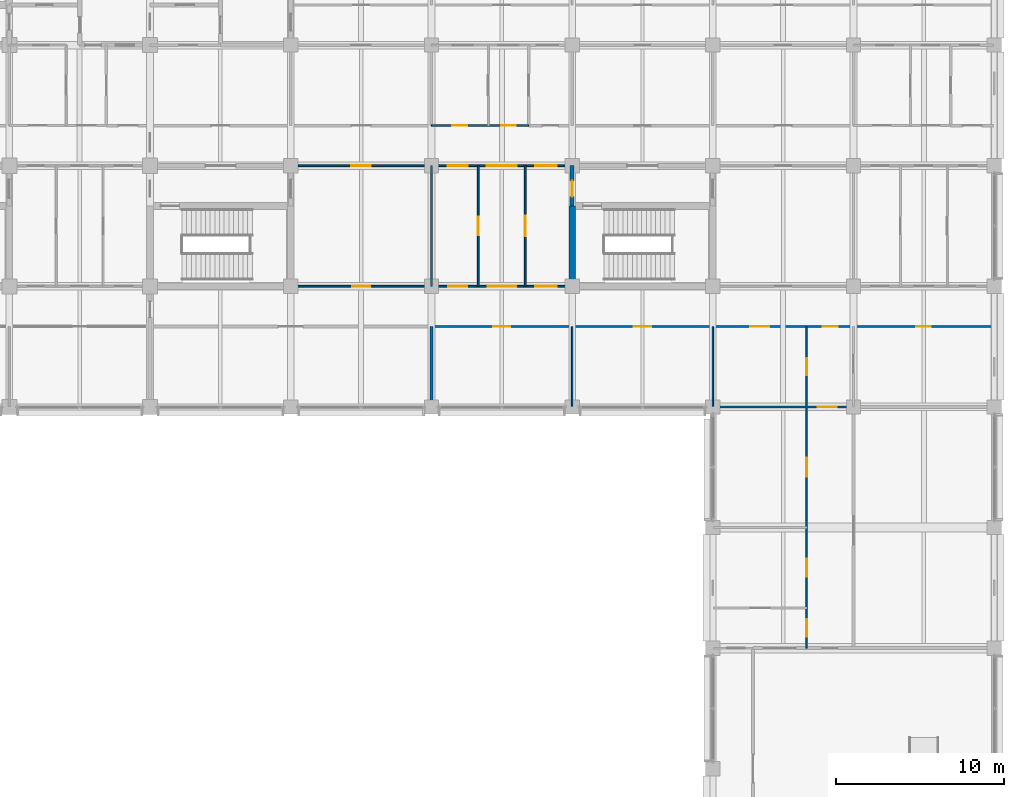
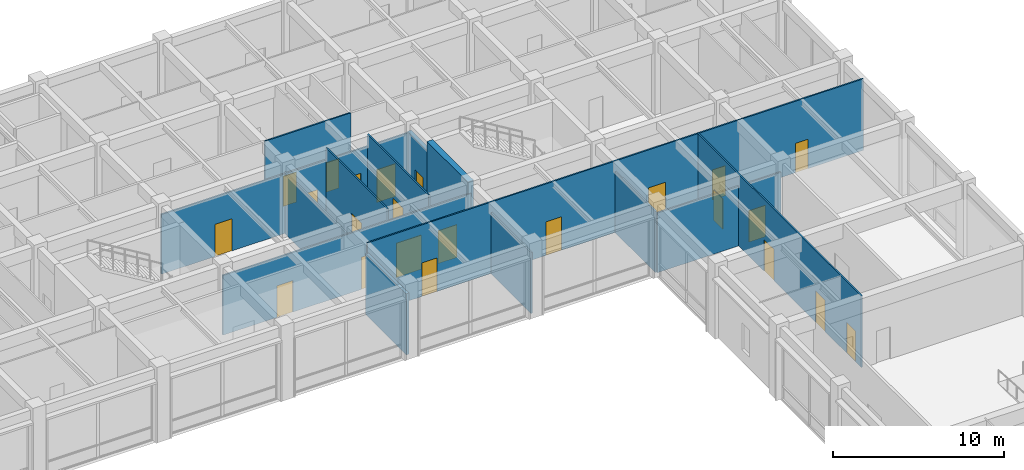
# One storey, part 39 of 51: 23 doors, 14 walls, 23 openings.
"""IFC4 building model written with IfcOpenShell, lengths in metres."""

from ifc_helpers import new_model, si_unit, direction, frame, frame_2d, origin, place, context, subcontext, project, spatial, rectangle, extrude, material, layer, layer_set, type_object, element, fill, save


model = new_model("IFC4")

# Units and contexts
model_context = context("Model", 3, precision=1e-05, world=origin(), true_north=direction((0.0, 1.0)))
body_context = subcontext(model_context, "Body", "Model", "MODEL_VIEW")
ifc_project = project(units=[si_unit("LENGTHUNIT", "METRE"), si_unit("AREAUNIT", "SQUARE_METRE"), si_unit("VOLUMEUNIT", "CUBIC_METRE"), si_unit("PLANEANGLEUNIT", "RADIAN"), si_unit("MASSUNIT", "GRAM", prefix="KILO")], contexts=[model_context])

# Site, building, storey
site_placement = place(None, origin())
site = spatial("IfcSite", under=ifc_project, at=site_placement, CompositionType="ELEMENT")
building_placement = place(site_placement, origin())
building = spatial("IfcBuilding", under=site, at=building_placement, Name="Chengyuan Square Courthouse", CompositionType="ELEMENT")
storey_placement = place(building_placement, frame((0.0, 0.0, 10.800048828125)))
storey = spatial("IfcBuildingStorey", under=building, at=storey_placement, Name="L03", CompositionType="ELEMENT", Elevation=10.800048828125)

# Wall, opening, door
ifc_material_1 = material(Name="Concrete C40", Category="concrete")
ifc_layer_1 = layer(ifc_material_1, 0.25)
ifc_layer_set_1 = layer_set([ifc_layer_1], Name="Concrete C40")
wall_type_1 = type_object("IfcWallType", Name="WL-FW1", PredefinedType="STANDARD", material=ifc_layer_set_1)
wall_1_placement = place(storey_placement, frame((142.800048828125, 91.199951171875, 0.0), z_axis=(0.0, 0.0, 1.0), x_axis=(0.0, 1.0, 0.0)))
wall_1 = element("IfcWall", 1, at=wall_1_placement, inside=storey, type_object=wall_type_1, Name="Interior Wall WL-L03-I1714", PredefinedType="STANDARD", context=body_context, shape_type="SweptSolid", body=[
    extrude(rectangle(XDim=2.400146484375, YDim=0.25, at=frame_2d((1.2001953125, 0.0))), origin(), (0.0, 0.0, 1.0), 4.369873046875),
])
opening_1_placement = place(wall_1_placement, frame((0.552490234375, 0.0, 0.0)))
opening_1 = element("IfcOpeningElement", 2, at=opening_1_placement, cuts=wall_1, Name="Opening DR-1355", PredefinedType="OPENING", context=body_context, shape_type="SweptSolid", body=[
    extrude(rectangle(XDim=0.949951171875, YDim=2.14990234375, at=frame_2d((0.47509765625, 1.074951171875))), frame((0.0, 0.136962890625, 0.0), z_axis=(0.0, -1.0, 0.0), x_axis=(1.0, 0.0, 0.0)), (0.0, 0.0, 1.0), 0.27392578125),
])
ifc_material_2 = material(Name="Steel Q235B Fire Door", Category="steel")
door_type_1 = type_object("IfcDoorType", Name="DT-12", OperationType="NOTDEFINED", PredefinedType="DOOR", material=ifc_material_2)
door_1_placement = place(opening_1_placement, origin())
door_1 = element("IfcDoor", 3, at=door_1_placement, inside=storey, type_object=door_type_1, Name="Interior Door DR-1355", OperationType="SINGLE_SWING_RIGHT", OverallHeight=2.14990234375, OverallWidth=0.949951171875, PredefinedType="DOOR", context=body_context, shape_type="SweptSolid", body=[
    extrude(rectangle(XDim=0.949951171875, YDim=2.14990234375, at=frame_2d((0.47509765625, 1.074951171875))), frame((0.0, 0.02490234375, 0.0), z_axis=(0.0, -1.0, 0.0), x_axis=(1.0, 0.0, 0.0)), (0.0, 0.0, 1.0), 0.050048828125),
])
fill(opening_1, door_1)

# Wall
ifc_material_3 = material(Name="Double-Stud Acoustic Gypsum Courtroom Partition")
ifc_layer_2 = layer(ifc_material_3, 0.179931640625)
ifc_layer_set_2 = layer_set([ifc_layer_2], Name="Double-Stud Acoustic Gypsum Courtroom Partition")
wall_type_2 = type_object("IfcWallType", Name="WL-PT1", PredefinedType="STANDARD", material=ifc_layer_set_2)
wall_2_placement = place(storey_placement, frame((134.39990234375, 79.239990234375, 0.0), z_axis=(0.0, 0.0, 1.0), x_axis=(0.0, 1.0, 0.0)))
element("IfcWall", 4, at=wall_2_placement, inside=storey, type_object=wall_type_2, Name="Interior Wall WL-L03-I1704", PredefinedType="STANDARD", context=body_context, shape_type="SweptSolid", body=[
    extrude(rectangle(XDim=4.760009765625, YDim=0.179931640625, at=frame_2d((2.3798828125, 0.0))), origin(), (0.0, 0.0, 1.0), 4.369873046875),
])

# Wall, opening, door
ifc_material_4 = material(Name="Gypsum Plasterboard Acoustic Stud Partition")
ifc_layer_3 = layer(ifc_material_4, 0.10009765625)
ifc_layer_set_3 = layer_set([ifc_layer_3], Name="Gypsum Plasterboard Acoustic Stud Partition")
wall_type_3 = type_object("IfcWallType", Name="WL-PT6", PredefinedType="STANDARD", material=ifc_layer_set_3)
wall_3_placement = place(storey_placement, frame((151.239990234375, 79.199951171875, 0.0), z_axis=(0.0, 0.0, 1.0), x_axis=(1.0, 0.0, 0.0)))
wall_3 = element("IfcWall", 5, at=wall_3_placement, inside=storey, type_object=wall_type_3, Name="Interior Wall WL-L03-I1410", PredefinedType="STANDARD", context=body_context, shape_type="SweptSolid", body=[
    extrude(rectangle(XDim=8.360107421875, YDim=0.10009765625, at=frame_2d((4.18017578125, 0.0))), origin(), (0.0, 0.0, 1.0), 4.27001953125),
])
opening_2_placement = place(wall_3_placement, frame((6.2275390625, 0.0, 0.0)))
opening_2 = element("IfcOpeningElement", 6, at=opening_2_placement, cuts=wall_3, Name="Opening DR-1602", PredefinedType="OPENING", context=body_context, shape_type="SweptSolid", body=[
    extrude(rectangle(XDim=1.1201171875, YDim=2.25, at=frame_2d((0.56005859375, 1.125))), frame((0.0, 0.06201171875, 0.0), z_axis=(0.0, -1.0, 0.0), x_axis=(1.0, 0.0, 0.0)), (0.0, 0.0, 1.0), 0.1240234375),
])
ifc_material_5 = material(Name="Acoustic Solid-Core Timber Door", Category="wood")
door_type_2 = type_object("IfcDoorType", Name="DT-34", OperationType="NOTDEFINED", PredefinedType="DOOR", material=ifc_material_5)
door_2_placement = place(opening_2_placement, origin())
door_2 = element("IfcDoor", 7, at=door_2_placement, inside=storey, type_object=door_type_2, Name="Interior Door DR-1602", OperationType="SINGLE_SWING_RIGHT", OverallHeight=2.25, OverallWidth=1.1201171875, PredefinedType="DOOR", context=body_context, shape_type="SweptSolid", body=[
    extrude(rectangle(XDim=1.1201171875, YDim=2.25, at=frame_2d((0.56005859375, 1.125))), frame((0.0, 0.02490234375, 0.0), z_axis=(0.0, -1.0, 0.0), x_axis=(1.0, 0.0, 0.0)), (0.0, 0.0, 1.0), 0.050048828125),
])
fill(opening_2, door_2)

# Wall, openings, doors
wall_4_placement = place(storey_placement, frame((134.39990234375, 84.0, 0.0), z_axis=(0.0, 0.0, 1.0), x_axis=(1.0, 0.0, 0.0)))
wall_4 = element("IfcWall", 8, at=wall_4_placement, inside=storey, type_object=wall_type_3, Name="Interior Wall WL-L03-I1416", PredefinedType="STANDARD", context=body_context, shape_type="SweptSolid", body=[
    extrude(rectangle(XDim=33.56005859375, YDim=0.10009765625, at=frame_2d((16.780029296875, 0.0))), origin(), (0.0, 0.0, 1.0), 5.119873046875),
])
opening_3_placement = place(wall_4_placement, frame((3.68994140625, 0.0, 0.0)))
opening_3 = element("IfcOpeningElement", 9, at=opening_3_placement, cuts=wall_4, Name="Opening DR-1592", PredefinedType="OPENING", context=body_context, shape_type="SweptSolid", body=[
    extrude(rectangle(XDim=1.02001953125, YDim=2.39990234375, at=frame_2d((0.510009765625, 1.199951171875))), frame((0.0, 0.06201171875, 0.0), z_axis=(0.0, -1.0, 0.0), x_axis=(1.0, 0.0, 0.0)), (0.0, 0.0, 1.0), 0.1240234375),
])
opening_4_placement = place(wall_4_placement, frame((12.070068359375, 0.0, 0.0)))
opening_4 = element("IfcOpeningElement", 10, at=opening_4_placement, cuts=wall_4, Name="Opening DR-1593", PredefinedType="OPENING", context=body_context, shape_type="SweptSolid", body=[
    extrude(rectangle(XDim=1.06005859375, YDim=2.39990234375, at=frame_2d((0.530029296875, 1.199951171875))), frame((0.0, 0.06201171875, 0.0), z_axis=(0.0, -1.0, 0.0), x_axis=(1.0, 0.0, 0.0)), (0.0, 0.0, 1.0), 0.1240234375),
])
opening_5_placement = place(wall_4_placement, frame((19.030029296875, 0.0, 0.0)))
opening_5 = element("IfcOpeningElement", 11, at=opening_5_placement, cuts=wall_4, Name="Opening DR-1594", PredefinedType="OPENING", context=body_context, shape_type="SweptSolid", body=[
    extrude(rectangle(XDim=1.139892578125, YDim=2.39990234375, at=frame_2d((0.56982421875, 1.199951171875))), frame((0.0, 0.06201171875, 0.0), z_axis=(0.0, -1.0, 0.0), x_axis=(1.0, 0.0, 0.0)), (0.0, 0.0, 1.0), 0.1240234375),
])
opening_6_placement = place(wall_4_placement, frame((23.35009765625, 0.0, 0.0)))
opening_6 = element("IfcOpeningElement", 12, at=opening_6_placement, cuts=wall_4, Name="Opening DR-1595", PredefinedType="OPENING", context=body_context, shape_type="SweptSolid", body=[
    extrude(rectangle(XDim=0.89990234375, YDim=2.14990234375, at=frame_2d((0.449951171875, 1.074951171875))), frame((0.0, 0.06201171875, 0.0), z_axis=(0.0, -1.0, 0.0), x_axis=(1.0, 0.0, 0.0)), (0.0, 0.0, 1.0), 0.1240234375),
])
opening_7_placement = place(wall_4_placement, frame((28.949951171875, 0.0, 0.0)))
opening_7 = element("IfcOpeningElement", 13, at=opening_7_placement, cuts=wall_4, Name="Opening DR-1596", PredefinedType="OPENING", context=body_context, shape_type="SweptSolid", body=[
    extrude(rectangle(XDim=0.860107421875, YDim=2.10009765625, at=frame_2d((0.43017578125, 1.050048828125))), frame((0.0, 0.06201171875, 0.0), z_axis=(0.0, -1.0, 0.0), x_axis=(1.0, 0.0, 0.0)), (0.0, 0.0, 1.0), 0.1240234375),
])
door_type_3 = type_object("IfcDoorType", Name="DT-27", OperationType="NOTDEFINED", PredefinedType="DOOR", material=ifc_material_5)
door_3_placement = place(opening_6_placement, origin())
door_3 = element("IfcDoor", 14, at=door_3_placement, inside=storey, type_object=door_type_3, Name="Interior Door DR-1595", OperationType="SINGLE_SWING_LEFT", OverallHeight=2.14990234375, OverallWidth=0.89990234375, PredefinedType="DOOR", context=body_context, shape_type="SweptSolid", body=[
    extrude(rectangle(XDim=0.89990234375, YDim=2.14990234375, at=frame_2d((0.449951171875, 1.074951171875))), frame((0.0, 0.02490234375, 0.0), z_axis=(0.0, -1.0, 0.0), x_axis=(1.0, 0.0, 0.0)), (0.0, 0.0, 1.0), 0.050048828125),
])
fill(opening_6, door_3)
door_type_4 = type_object("IfcDoorType", Name="DT-28", OperationType="NOTDEFINED", PredefinedType="DOOR", material=ifc_material_5)
door_4_placement = place(opening_7_placement, origin())
door_4 = element("IfcDoor", 15, at=door_4_placement, inside=storey, type_object=door_type_4, Name="Interior Door DR-1596", OperationType="SINGLE_SWING_RIGHT", OverallHeight=2.10009765625, OverallWidth=0.860107421875, PredefinedType="DOOR", context=body_context, shape_type="SweptSolid", body=[
    extrude(rectangle(XDim=0.860107421875, YDim=2.10009765625, at=frame_2d((0.43017578125, 1.050048828125))), frame((0.0, 0.02490234375, 0.0), z_axis=(0.0, -1.0, 0.0), x_axis=(1.0, 0.0, 0.0)), (0.0, 0.0, 1.0), 0.050048828125),
])
fill(opening_7, door_4)
door_type_5 = type_object("IfcDoorType", Name="DT-41", OperationType="NOTDEFINED", PredefinedType="DOOR", material=ifc_material_5)
door_5_placement = place(opening_3_placement, origin())
door_5 = element("IfcDoor", 16, at=door_5_placement, inside=storey, type_object=door_type_5, Name="Interior Door DR-1592", OperationType="SINGLE_SWING_RIGHT", OverallHeight=2.39990234375, OverallWidth=1.02001953125, PredefinedType="DOOR", context=body_context, shape_type="SweptSolid", body=[
    extrude(rectangle(XDim=1.02001953125, YDim=2.39990234375, at=frame_2d((0.510009765625, 1.199951171875))), frame((0.0, 0.02490234375, 0.0), z_axis=(0.0, -1.0, 0.0), x_axis=(1.0, 0.0, 0.0)), (0.0, 0.0, 1.0), 0.050048828125),
])
fill(opening_3, door_5)
door_type_6 = type_object("IfcDoorType", Name="DT-42", OperationType="NOTDEFINED", PredefinedType="DOOR", material=ifc_material_5)
door_6_placement = place(opening_4_placement, origin())
door_6 = element("IfcDoor", 17, at=door_6_placement, inside=storey, type_object=door_type_6, Name="Interior Door DR-1593", OperationType="SINGLE_SWING_LEFT", OverallHeight=2.39990234375, OverallWidth=1.06005859375, PredefinedType="DOOR", context=body_context, shape_type="SweptSolid", body=[
    extrude(rectangle(XDim=1.06005859375, YDim=2.39990234375, at=frame_2d((0.530029296875, 1.199951171875))), frame((0.0, 0.02490234375, 0.0), z_axis=(0.0, -1.0, 0.0), x_axis=(1.0, 0.0, 0.0)), (0.0, 0.0, 1.0), 0.050048828125),
])
fill(opening_4, door_6)
door_type_7 = type_object("IfcDoorType", Name="DT-43", OperationType="NOTDEFINED", PredefinedType="DOOR", material=ifc_material_5)
door_7_placement = place(opening_5_placement, origin())
door_7 = element("IfcDoor", 18, at=door_7_placement, inside=storey, type_object=door_type_7, Name="Interior Door DR-1594", OperationType="SINGLE_SWING_RIGHT", OverallHeight=2.39990234375, OverallWidth=1.139892578125, PredefinedType="DOOR", context=body_context, shape_type="SweptSolid", body=[
    extrude(rectangle(XDim=1.139892578125, YDim=2.39990234375, at=frame_2d((0.56982421875, 1.199951171875))), frame((0.0, 0.02490234375, 0.0), z_axis=(0.0, -1.0, 0.0), x_axis=(1.0, 0.0, 0.0)), (0.0, 0.0, 1.0), 0.050048828125),
])
fill(opening_5, door_7)

wall_5_placement = place(storey_placement, frame((126.0, 86.39990234375, 0.0), z_axis=(0.0, 0.0, 1.0), x_axis=(1.0, 0.0, 0.0)))
wall_5 = element("IfcWall", 19, at=wall_5_placement, inside=storey, type_object=wall_type_3, Name="Interior Wall WL-L03-I1430", PredefinedType="STANDARD", context=body_context, shape_type="SweptSolid", body=[
    extrude(rectangle(XDim=16.800048828125, YDim=0.10009765625, at=frame_2d((8.39990234375, 0.0))), origin(), (0.0, 0.0, 1.0), 4.27001953125),
])
opening_8_placement = place(wall_5_placement, frame((3.659912109375, 0.0, 0.0)))
opening_8 = element("IfcOpeningElement", 20, at=opening_8_placement, cuts=wall_5, Name="Opening DR-1550", PredefinedType="OPENING", context=body_context, shape_type="SweptSolid", body=[
    extrude(rectangle(XDim=1.080078125, YDim=2.25, at=frame_2d((0.5400390625, 1.125))), frame((0.0, 0.06201171875, 0.0), z_axis=(0.0, -1.0, 0.0), x_axis=(1.0, 0.0, 0.0)), (0.0, 0.0, 1.0), 0.1240234375),
])
opening_9_placement = place(wall_5_placement, frame((9.392578125, 0.0, 0.0)))
opening_9 = element("IfcOpeningElement", 21, at=opening_9_placement, cuts=wall_5, Name="Opening DR-1552", PredefinedType="OPENING", context=body_context, shape_type="SweptSolid", body=[
    extrude(rectangle(XDim=1.159912109375, YDim=2.300048828125, at=frame_2d((0.580078125, 1.14990234375))), frame((0.0, 0.06201171875, 0.0), z_axis=(0.0, -1.0, 0.0), x_axis=(1.0, 0.0, 0.0)), (0.0, 0.0, 1.0), 0.1240234375),
])
opening_10_placement = place(wall_5_placement, frame((11.75, 0.0, 0.0)))
opening_10 = element("IfcOpeningElement", 22, at=opening_10_placement, cuts=wall_5, Name="Opening DR-1554", PredefinedType="OPENING", context=body_context, shape_type="SweptSolid", body=[
    extrude(rectangle(XDim=1.699951171875, YDim=2.449951171875, at=frame_2d((0.85009765625, 1.22509765625))), frame((0.0, 0.06201171875, 0.0), z_axis=(0.0, -1.0, 0.0), x_axis=(1.0, 0.0, 0.0)), (0.0, 0.0, 1.0), 0.1240234375),
])
opening_11_placement = place(wall_5_placement, frame((14.58740234375, 0.0, 0.0)))
opening_11 = element("IfcOpeningElement", 23, at=opening_11_placement, cuts=wall_5, Name="Opening DR-1555", PredefinedType="OPENING", context=body_context, shape_type="SweptSolid", body=[
    extrude(rectangle(XDim=1.280029296875, YDim=2.35009765625, at=frame_2d((0.64013671875, 1.175048828125))), frame((0.0, 0.06201171875, 0.0), z_axis=(0.0, -1.0, 0.0), x_axis=(1.0, 0.0, 0.0)), (0.0, 0.0, 1.0), 0.1240234375),
])
ifc_material_6 = material(Name="Acoustic Larch Veneer Double Door")
door_type_8 = type_object("IfcDoorType", Name="DT-24", OperationType="DOUBLE_DOOR_SINGLE_SWING", PredefinedType="DOOR", material=ifc_material_6)
door_8_placement = place(opening_10_placement, frame((1.699951171875, 0.0, 0.0), z_axis=(0.0, 0.0, 1.0), x_axis=(-1.0, 0.0, 0.0)))
door_8 = element("IfcDoor", 24, at=door_8_placement, inside=storey, type_object=door_type_8, Name="Interior Door DR-1554", OperationType="DOUBLE_DOOR_SINGLE_SWING", OverallHeight=2.449951171875, OverallWidth=1.699951171875, PredefinedType="DOOR", context=body_context, shape_type="SweptSolid", body=[
    extrude(rectangle(XDim=1.699951171875, YDim=2.449951171875, at=frame_2d((0.85009765625, 1.22509765625))), frame((0.0, 0.02490234375, 0.0), z_axis=(0.0, -1.0, 0.0), x_axis=(1.0, 0.0, 0.0)), (0.0, 0.0, 1.0), 0.050048828125),
])
fill(opening_10, door_8)
door_type_9 = type_object("IfcDoorType", Name="DT-33", OperationType="NOTDEFINED", PredefinedType="DOOR", material=ifc_material_5)
door_9_placement = place(opening_8_placement, origin())
door_9 = element("IfcDoor", 25, at=door_9_placement, inside=storey, type_object=door_type_9, Name="Interior Door DR-1550", OperationType="SINGLE_SWING_RIGHT", OverallHeight=2.25, OverallWidth=1.080078125, PredefinedType="DOOR", context=body_context, shape_type="SweptSolid", body=[
    extrude(rectangle(XDim=1.080078125, YDim=2.25, at=frame_2d((0.5400390625, 1.125))), frame((0.0, 0.02490234375, 0.0), z_axis=(0.0, -1.0, 0.0), x_axis=(1.0, 0.0, 0.0)), (0.0, 0.0, 1.0), 0.050048828125),
])
fill(opening_8, door_9)
door_type_10 = type_object("IfcDoorType", Name="DT-35", OperationType="NOTDEFINED", PredefinedType="DOOR", material=ifc_material_5)
door_10_placement = place(opening_9_placement, origin())
door_10 = element("IfcDoor", 26, at=door_10_placement, inside=storey, type_object=door_type_10, Name="Interior Door DR-1552", OperationType="SINGLE_SWING_RIGHT", OverallHeight=2.300048828125, OverallWidth=1.159912109375, PredefinedType="DOOR", context=body_context, shape_type="SweptSolid", body=[
    extrude(rectangle(XDim=1.159912109375, YDim=2.300048828125, at=frame_2d((0.580078125, 1.14990234375))), frame((0.0, 0.02490234375, 0.0), z_axis=(0.0, -1.0, 0.0), x_axis=(1.0, 0.0, 0.0)), (0.0, 0.0, 1.0), 0.050048828125),
])
fill(opening_9, door_10)
door_type_11 = type_object("IfcDoorType", Name="DT-38", OperationType="NOTDEFINED", PredefinedType="DOOR", material=ifc_material_5)
door_11_placement = place(opening_11_placement, origin())
door_11 = element("IfcDoor", 27, at=door_11_placement, inside=storey, type_object=door_type_11, Name="Interior Door DR-1555", OperationType="SINGLE_SWING_RIGHT", OverallHeight=2.35009765625, OverallWidth=1.280029296875, PredefinedType="DOOR", context=body_context, shape_type="SweptSolid", body=[
    extrude(rectangle(XDim=1.280029296875, YDim=2.35009765625, at=frame_2d((0.64013671875, 1.175048828125))), frame((0.0, 0.02490234375, 0.0), z_axis=(0.0, -1.0, 0.0), x_axis=(1.0, 0.0, 0.0)), (0.0, 0.0, 1.0), 0.050048828125),
])
fill(opening_11, door_11)

wall_6_placement = place(storey_placement, frame((126.0, 93.60009765625, 0.0), z_axis=(0.0, 0.0, 1.0), x_axis=(1.0, 0.0, 0.0)))
wall_6 = element("IfcWall", 28, at=wall_6_placement, inside=storey, type_object=wall_type_3, Name="Interior Wall WL-L03-I1458", PredefinedType="STANDARD", context=body_context, shape_type="SweptSolid", body=[
    extrude(rectangle(XDim=16.800048828125, YDim=0.10009765625, at=frame_2d((8.39990234375, 0.0))), origin(), (0.0, 0.0, 1.0), 4.27001953125),
])
opening_12_placement = place(wall_6_placement, frame((3.6201171875, 0.0, 0.0)))
opening_12 = element("IfcOpeningElement", 29, at=opening_12_placement, cuts=wall_6, Name="Opening DR-1501", PredefinedType="OPENING", context=body_context, shape_type="SweptSolid", body=[
    extrude(rectangle(XDim=1.159912109375, YDim=2.300048828125, at=frame_2d((0.580078125, 1.14990234375))), frame((0.0, 0.06201171875, 0.0), z_axis=(0.0, -1.0, 0.0), x_axis=(1.0, 0.0, 0.0)), (0.0, 0.0, 1.0), 0.1240234375),
])
opening_13_placement = place(wall_6_placement, frame((9.37255859375, 0.0, 0.0)))
opening_13 = element("IfcOpeningElement", 30, at=opening_13_placement, cuts=wall_6, Name="Opening DR-1502", PredefinedType="OPENING", context=body_context, shape_type="SweptSolid", body=[
    extrude(rectangle(XDim=1.199951171875, YDim=2.35009765625, at=frame_2d((0.60009765625, 1.175048828125))), frame((0.0, 0.06201171875, 0.0), z_axis=(0.0, -1.0, 0.0), x_axis=(1.0, 0.0, 0.0)), (0.0, 0.0, 1.0), 0.1240234375),
])
opening_14_placement = place(wall_6_placement, frame((11.699951171875, 0.0, 0.0)))
opening_14 = element("IfcOpeningElement", 31, at=opening_14_placement, cuts=wall_6, Name="Opening DR-1503", PredefinedType="OPENING", context=body_context, shape_type="SweptSolid", body=[
    extrude(rectangle(XDim=1.800048828125, YDim=2.5, at=frame_2d((0.89990234375, 1.25))), frame((0.0, 0.06201171875, 0.0), z_axis=(0.0, -1.0, 0.0), x_axis=(1.0, 0.0, 0.0)), (0.0, 0.0, 1.0), 0.1240234375),
])
opening_15_placement = place(wall_6_placement, frame((14.58740234375, 0.0, 0.0)))
opening_15 = element("IfcOpeningElement", 32, at=opening_15_placement, cuts=wall_6, Name="Opening DR-1504", PredefinedType="OPENING", context=body_context, shape_type="SweptSolid", body=[
    extrude(rectangle(XDim=1.280029296875, YDim=2.35009765625, at=frame_2d((0.64013671875, 1.175048828125))), frame((0.0, 0.06201171875, 0.0), z_axis=(0.0, -1.0, 0.0), x_axis=(1.0, 0.0, 0.0)), (0.0, 0.0, 1.0), 0.1240234375),
])
door_type_12 = type_object("IfcDoorType", Name="DT-21", OperationType="DOUBLE_DOOR_SINGLE_SWING", PredefinedType="DOOR", material=ifc_material_6)
door_12_placement = place(opening_14_placement, frame((1.800048828125, 0.0, 0.0), z_axis=(0.0, 0.0, 1.0), x_axis=(-1.0, 0.0, 0.0)))
door_12 = element("IfcDoor", 33, at=door_12_placement, inside=storey, type_object=door_type_12, Name="Interior Door DR-1503", OperationType="DOUBLE_DOOR_SINGLE_SWING", OverallHeight=2.5, OverallWidth=1.800048828125, PredefinedType="DOOR", context=body_context, shape_type="SweptSolid", body=[
    extrude(rectangle(XDim=1.800048828125, YDim=2.5, at=frame_2d((0.89990234375, 1.25))), frame((0.0, 0.02490234375, 0.0), z_axis=(0.0, -1.0, 0.0), x_axis=(1.0, 0.0, 0.0)), (0.0, 0.0, 1.0), 0.050048828125),
])
fill(opening_14, door_12)
door_13_placement = place(opening_12_placement, origin())
door_13 = element("IfcDoor", 34, at=door_13_placement, inside=storey, type_object=door_type_10, Name="Interior Door DR-1501", OperationType="SINGLE_SWING_RIGHT", OverallHeight=2.300048828125, OverallWidth=1.159912109375, PredefinedType="DOOR", context=body_context, shape_type="SweptSolid", body=[
    extrude(rectangle(XDim=1.159912109375, YDim=2.300048828125, at=frame_2d((0.580078125, 1.14990234375))), frame((0.0, 0.02490234375, 0.0), z_axis=(0.0, -1.0, 0.0), x_axis=(1.0, 0.0, 0.0)), (0.0, 0.0, 1.0), 0.050048828125),
])
fill(opening_12, door_13)
door_type_13 = type_object("IfcDoorType", Name="DT-36", OperationType="NOTDEFINED", PredefinedType="DOOR", material=ifc_material_5)
door_14_placement = place(opening_13_placement, origin())
door_14 = element("IfcDoor", 35, at=door_14_placement, inside=storey, type_object=door_type_13, Name="Interior Door DR-1502", OperationType="SINGLE_SWING_LEFT", OverallHeight=2.35009765625, OverallWidth=1.199951171875, PredefinedType="DOOR", context=body_context, shape_type="SweptSolid", body=[
    extrude(rectangle(XDim=1.199951171875, YDim=2.35009765625, at=frame_2d((0.60009765625, 1.175048828125))), frame((0.0, 0.02490234375, 0.0), z_axis=(0.0, -1.0, 0.0), x_axis=(1.0, 0.0, 0.0)), (0.0, 0.0, 1.0), 0.050048828125),
])
fill(opening_13, door_14)
door_15_placement = place(opening_15_placement, origin())
door_15 = element("IfcDoor", 36, at=door_15_placement, inside=storey, type_object=door_type_11, Name="Interior Door DR-1504", OperationType="SINGLE_SWING_RIGHT", OverallHeight=2.35009765625, OverallWidth=1.280029296875, PredefinedType="DOOR", context=body_context, shape_type="SweptSolid", body=[
    extrude(rectangle(XDim=1.280029296875, YDim=2.35009765625, at=frame_2d((0.64013671875, 1.175048828125))), frame((0.0, 0.02490234375, 0.0), z_axis=(0.0, -1.0, 0.0), x_axis=(1.0, 0.0, 0.0)), (0.0, 0.0, 1.0), 0.050048828125),
])
fill(opening_15, door_15)

wall_7_placement = place(storey_placement, frame((134.39990234375, 96.0, 0.0), z_axis=(0.0, 0.0, 1.0), x_axis=(1.0, 0.0, 0.0)))
wall_7 = element("IfcWall", 37, at=wall_7_placement, inside=storey, type_object=wall_type_3, Name="Interior Wall WL-L03-I1471", PredefinedType="STANDARD", context=body_context, shape_type="SweptSolid", body=[
    extrude(rectangle(XDim=5.800048828125, YDim=0.10009765625, at=frame_2d((2.89990234375, 0.0))), origin(), (0.0, 0.0, 1.0), 5.119873046875),
])
opening_16_placement = place(wall_7_placement, frame((1.25, 0.0, 0.0)))
opening_16 = element("IfcOpeningElement", 38, at=opening_16_placement, cuts=wall_7, Name="Opening DR-1493", PredefinedType="OPENING", context=body_context, shape_type="SweptSolid", body=[
    extrude(rectangle(XDim=0.89990234375, YDim=2.14990234375, at=frame_2d((0.449951171875, 1.074951171875))), frame((0.0, 0.06201171875, 0.0), z_axis=(0.0, -1.0, 0.0), x_axis=(1.0, 0.0, 0.0)), (0.0, 0.0, 1.0), 0.1240234375),
])
opening_17_placement = place(wall_7_placement, frame((4.169921875, 0.0, 0.0)))
opening_17 = element("IfcOpeningElement", 39, at=opening_17_placement, cuts=wall_7, Name="Opening DR-1494", PredefinedType="OPENING", context=body_context, shape_type="SweptSolid", body=[
    extrude(rectangle(XDim=0.860107421875, YDim=2.10009765625, at=frame_2d((0.43017578125, 1.050048828125))), frame((0.0, 0.06201171875, 0.0), z_axis=(0.0, -1.0, 0.0), x_axis=(1.0, 0.0, 0.0)), (0.0, 0.0, 1.0), 0.1240234375),
])
door_16_placement = place(opening_16_placement, origin())
door_16 = element("IfcDoor", 40, at=door_16_placement, inside=storey, type_object=door_type_3, Name="Interior Door DR-1493", OperationType="SINGLE_SWING_RIGHT", OverallHeight=2.14990234375, OverallWidth=0.89990234375, PredefinedType="DOOR", context=body_context, shape_type="SweptSolid", body=[
    extrude(rectangle(XDim=0.89990234375, YDim=2.14990234375, at=frame_2d((0.449951171875, 1.074951171875))), frame((0.0, 0.02490234375, 0.0), z_axis=(0.0, -1.0, 0.0), x_axis=(1.0, 0.0, 0.0)), (0.0, 0.0, 1.0), 0.050048828125),
])
fill(opening_16, door_16)
door_17_placement = place(opening_17_placement, origin())
door_17 = element("IfcDoor", 41, at=door_17_placement, inside=storey, type_object=door_type_4, Name="Interior Door DR-1494", OperationType="SINGLE_SWING_LEFT", OverallHeight=2.10009765625, OverallWidth=0.860107421875, PredefinedType="DOOR", context=body_context, shape_type="SweptSolid", body=[
    extrude(rectangle(XDim=0.860107421875, YDim=2.10009765625, at=frame_2d((0.43017578125, 1.050048828125))), frame((0.0, 0.02490234375, 0.0), z_axis=(0.0, -1.0, 0.0), x_axis=(1.0, 0.0, 0.0)), (0.0, 0.0, 1.0), 0.050048828125),
])
fill(opening_17, door_17)

# Wall
wall_8_placement = place(storey_placement, frame((134.39990234375, 86.39990234375, 0.0), z_axis=(0.0, 0.0, 1.0), x_axis=(0.0, 1.0, 0.0)))
element("IfcWall", 42, at=wall_8_placement, inside=storey, type_object=wall_type_3, Name="Interior Wall WL-L03-I1705", PredefinedType="STANDARD", context=body_context, shape_type="SweptSolid", body=[
    extrude(rectangle(XDim=7.2001953125, YDim=0.10009765625, at=frame_2d((3.60009765625, 0.0))), origin(), (0.0, 0.0, 1.0), 4.369873046875),
])

# Wall, opening, door
wall_9_placement = place(storey_placement, frame((137.199951171875, 86.39990234375, 0.0), z_axis=(0.0, 0.0, 1.0), x_axis=(0.0, 1.0, 0.0)))
wall_9 = element("IfcWall", 43, at=wall_9_placement, inside=storey, type_object=wall_type_3, Name="Interior Wall WL-L03-I1708", PredefinedType="STANDARD", context=body_context, shape_type="SweptSolid", body=[
    extrude(rectangle(XDim=7.2001953125, YDim=0.10009765625, at=frame_2d((3.60009765625, 0.0))), origin(), (0.0, 0.0, 1.0), 5.119873046875),
])
opening_18_placement = place(wall_9_placement, frame((3.0400390625, 0.0, 0.0)))
opening_18 = element("IfcOpeningElement", 44, at=opening_18_placement, cuts=wall_9, Name="Opening DR-1551", PredefinedType="OPENING", context=body_context, shape_type="SweptSolid", body=[
    extrude(rectangle(XDim=1.1201171875, YDim=2.25, at=frame_2d((0.56005859375, 1.125))), frame((0.0, 0.06201171875, 0.0), z_axis=(0.0, -1.0, 0.0), x_axis=(1.0, 0.0, 0.0)), (0.0, 0.0, 1.0), 0.1240234375),
])
door_18_placement = place(opening_18_placement, origin())
door_18 = element("IfcDoor", 45, at=door_18_placement, inside=storey, type_object=door_type_2, Name="Interior Door DR-1551", OperationType="SINGLE_SWING_LEFT", OverallHeight=2.25, OverallWidth=1.1201171875, PredefinedType="DOOR", context=body_context, shape_type="SweptSolid", body=[
    extrude(rectangle(XDim=1.1201171875, YDim=2.25, at=frame_2d((0.56005859375, 1.125))), frame((0.0, 0.02490234375, 0.0), z_axis=(0.0, -1.0, 0.0), x_axis=(1.0, 0.0, 0.0)), (0.0, 0.0, 1.0), 0.050048828125),
])
fill(opening_18, door_18)

wall_10_placement = place(storey_placement, frame((140.0, 86.39990234375, 0.0), z_axis=(0.0, 0.0, 1.0), x_axis=(0.0, 1.0, 0.0)))
wall_10 = element("IfcWall", 46, at=wall_10_placement, inside=storey, type_object=wall_type_3, Name="Interior Wall WL-L03-I1710", PredefinedType="STANDARD", context=body_context, shape_type="SweptSolid", body=[
    extrude(rectangle(XDim=7.2001953125, YDim=0.10009765625, at=frame_2d((3.60009765625, 0.0))), origin(), (0.0, 0.0, 1.0), 5.119873046875),
])
opening_19_placement = place(wall_10_placement, frame((3.0, 0.0, 0.0)))
opening_19 = element("IfcOpeningElement", 47, at=opening_19_placement, cuts=wall_10, Name="Opening DR-1553", PredefinedType="OPENING", context=body_context, shape_type="SweptSolid", body=[
    extrude(rectangle(XDim=1.199951171875, YDim=2.35009765625, at=frame_2d((0.60009765625, 1.175048828125))), frame((0.0, 0.06201171875, 0.0), z_axis=(0.0, -1.0, 0.0), x_axis=(1.0, 0.0, 0.0)), (0.0, 0.0, 1.0), 0.1240234375),
])
door_19_placement = place(opening_19_placement, origin())
door_19 = element("IfcDoor", 48, at=door_19_placement, inside=storey, type_object=door_type_13, Name="Interior Door DR-1553", OperationType="SINGLE_SWING_LEFT", OverallHeight=2.35009765625, OverallWidth=1.199951171875, PredefinedType="DOOR", context=body_context, shape_type="SweptSolid", body=[
    extrude(rectangle(XDim=1.199951171875, YDim=2.35009765625, at=frame_2d((0.60009765625, 1.175048828125))), frame((0.0, 0.02490234375, 0.0), z_axis=(0.0, -1.0, 0.0), x_axis=(1.0, 0.0, 0.0)), (0.0, 0.0, 1.0), 0.050048828125),
])
fill(opening_19, door_19)

# Walls
for number, where, z_axis, x_axis, name in (
    (49, (142.800048828125, 79.239990234375, 0.0), (0.0, 0.0, 1.0), (0.0, 1.0, 0.0), "Interior Wall WL-L03-I1712"),
    (50, (151.199951171875, 79.239990234375, 0.0), (0.0, 0.0, 1.0), (0.0, 1.0, 0.0), "Interior Wall WL-L03-I1717"),
):
    element("IfcWall", number, at=place(storey_placement, frame(where, z_axis=z_axis, x_axis=x_axis)), inside=storey, type_object=wall_type_3, Name=name, PredefinedType="STANDARD", context=body_context, shape_type="SweptSolid", body=[
        extrude(rectangle(XDim=4.760009765625, YDim=0.10009765625, at=frame_2d((2.3798828125, 0.0))), origin(), (0.0, 0.0, 1.0), 4.369873046875),
    ])

# Wall, openings, doors
wall_11_placement = place(storey_placement, frame((156.800048828125, 64.800048828125, 0.0), z_axis=(0.0, 0.0, 1.0), x_axis=(0.0, 1.0, 0.0)))
wall_11 = element("IfcWall", 51, at=wall_11_placement, inside=storey, type_object=wall_type_3, Name="Interior Wall WL-L03-I1724", PredefinedType="STANDARD", context=body_context, shape_type="SweptSolid", body=[
    extrude(rectangle(XDim=19.199951171875, YDim=0.10009765625, at=frame_2d((9.60009765625, 0.0))), origin(), (0.0, 0.0, 1.0), 5.119873046875),
])
opening_20_placement = place(wall_11_placement, frame((16.280029296875, 0.0, 0.0)))
opening_20 = element("IfcOpeningElement", 52, at=opening_20_placement, cuts=wall_11, Name="Opening DR-1600", PredefinedType="OPENING", context=body_context, shape_type="SweptSolid", body=[
    extrude(rectangle(XDim=1.0400390625, YDim=2.199951171875, at=frame_2d((0.52001953125, 1.10009765625))), frame((0.0, 0.06201171875, 0.0), z_axis=(0.0, -1.0, 0.0), x_axis=(1.0, 0.0, 0.0)), (0.0, 0.0, 1.0), 0.1240234375),
])
opening_21_placement = place(wall_11_placement, frame((0.679931640625, 0.0, 0.0)))
opening_21 = element("IfcOpeningElement", 53, at=opening_21_placement, cuts=wall_11, Name="Opening DR-1617", PredefinedType="OPENING", context=body_context, shape_type="SweptSolid", body=[
    extrude(rectangle(XDim=1.0400390625, YDim=2.199951171875, at=frame_2d((0.52001953125, 1.10009765625))), frame((0.0, 0.06201171875, 0.0), z_axis=(0.0, -1.0, 0.0), x_axis=(1.0, 0.0, 0.0)), (0.0, 0.0, 1.0), 0.1240234375),
])
opening_22_placement = place(wall_11_placement, frame((4.260009765625, 0.0, 0.0)))
opening_22 = element("IfcOpeningElement", 54, at=opening_22_placement, cuts=wall_11, Name="Opening DR-1618", PredefinedType="OPENING", context=body_context, shape_type="SweptSolid", body=[
    extrude(rectangle(XDim=1.080078125, YDim=2.25, at=frame_2d((0.5400390625, 1.125))), frame((0.0, 0.06201171875, 0.0), z_axis=(0.0, -1.0, 0.0), x_axis=(1.0, 0.0, 0.0)), (0.0, 0.0, 1.0), 0.1240234375),
])
opening_23_placement = place(wall_11_placement, frame((10.239990234375, 0.0, 0.0)))
opening_23 = element("IfcOpeningElement", 55, at=opening_23_placement, cuts=wall_11, Name="Opening DR-1619", PredefinedType="OPENING", context=body_context, shape_type="SweptSolid", body=[
    extrude(rectangle(XDim=1.1201171875, YDim=2.25, at=frame_2d((0.56005859375, 1.125))), frame((0.0, 0.06201171875, 0.0), z_axis=(0.0, -1.0, 0.0), x_axis=(1.0, 0.0, 0.0)), (0.0, 0.0, 1.0), 0.1240234375),
])
door_type_14 = type_object("IfcDoorType", Name="DT-32", OperationType="NOTDEFINED", PredefinedType="DOOR", material=ifc_material_5)
door_20_placement = place(opening_20_placement, origin())
door_20 = element("IfcDoor", 56, at=door_20_placement, inside=storey, type_object=door_type_14, Name="Interior Door DR-1600", OperationType="SINGLE_SWING_RIGHT", OverallHeight=2.199951171875, OverallWidth=1.0400390625, PredefinedType="DOOR", context=body_context, shape_type="SweptSolid", body=[
    extrude(rectangle(XDim=1.0400390625, YDim=2.199951171875, at=frame_2d((0.52001953125, 1.10009765625))), frame((0.0, 0.02490234375, 0.0), z_axis=(0.0, -1.0, 0.0), x_axis=(1.0, 0.0, 0.0)), (0.0, 0.0, 1.0), 0.050048828125),
])
fill(opening_20, door_20)
door_21_placement = place(opening_21_placement, origin())
door_21 = element("IfcDoor", 57, at=door_21_placement, inside=storey, type_object=door_type_14, Name="Interior Door DR-1617", OperationType="SINGLE_SWING_RIGHT", OverallHeight=2.199951171875, OverallWidth=1.0400390625, PredefinedType="DOOR", context=body_context, shape_type="SweptSolid", body=[
    extrude(rectangle(XDim=1.0400390625, YDim=2.199951171875, at=frame_2d((0.52001953125, 1.10009765625))), frame((0.0, 0.02490234375, 0.0), z_axis=(0.0, -1.0, 0.0), x_axis=(1.0, 0.0, 0.0)), (0.0, 0.0, 1.0), 0.050048828125),
])
fill(opening_21, door_21)
door_22_placement = place(opening_22_placement, origin())
door_22 = element("IfcDoor", 58, at=door_22_placement, inside=storey, type_object=door_type_9, Name="Interior Door DR-1618", OperationType="SINGLE_SWING_LEFT", OverallHeight=2.25, OverallWidth=1.080078125, PredefinedType="DOOR", context=body_context, shape_type="SweptSolid", body=[
    extrude(rectangle(XDim=1.080078125, YDim=2.25, at=frame_2d((0.5400390625, 1.125))), frame((0.0, 0.02490234375, 0.0), z_axis=(0.0, -1.0, 0.0), x_axis=(1.0, 0.0, 0.0)), (0.0, 0.0, 1.0), 0.050048828125),
])
fill(opening_22, door_22)
door_23_placement = place(opening_23_placement, origin())
door_23 = element("IfcDoor", 59, at=door_23_placement, inside=storey, type_object=door_type_2, Name="Interior Door DR-1619", OperationType="SINGLE_SWING_RIGHT", OverallHeight=2.25, OverallWidth=1.1201171875, PredefinedType="DOOR", context=body_context, shape_type="SweptSolid", body=[
    extrude(rectangle(XDim=1.1201171875, YDim=2.25, at=frame_2d((0.56005859375, 1.125))), frame((0.0, 0.02490234375, 0.0), z_axis=(0.0, -1.0, 0.0), x_axis=(1.0, 0.0, 0.0)), (0.0, 0.0, 1.0), 0.050048828125),
])
fill(opening_23, door_23)

# Wall
ifc_material_7 = material(Name="Concrete C50", Category="concrete")
ifc_layer_4 = layer(ifc_material_7, 0.39990234375)
ifc_layer_set_4 = layer_set([ifc_layer_4], Name="Concrete C50")
wall_type_4 = type_object("IfcWallType", Name="WL-SW1", PredefinedType="SHEAR", material=ifc_layer_set_4)
wall_12_placement = place(storey_placement, frame((142.800048828125, 86.39990234375, 0.0), z_axis=(0.0, 0.0, 1.0), x_axis=(0.0, 1.0, 0.0)))
element("IfcWall", 60, at=wall_12_placement, inside=storey, type_object=wall_type_4, Name="Interior Wall WL-L03-I1713", PredefinedType="SHEAR", context=body_context, shape_type="SweptSolid", body=[
    extrude(rectangle(XDim=4.800048828125, YDim=0.39990234375, at=frame_2d((2.39990234375, 0.0))), origin(), (0.0, 0.0, 1.0), 5.119873046875),
])

save(model, "model.ifc")
